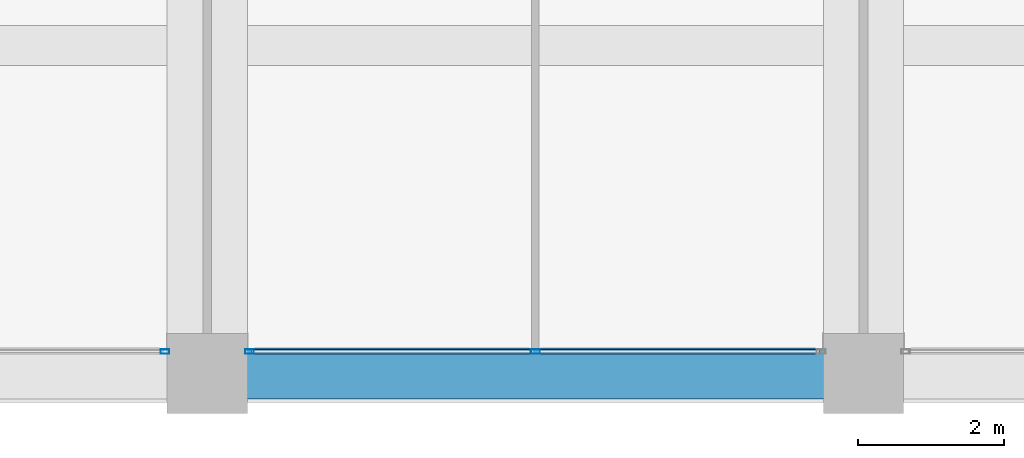
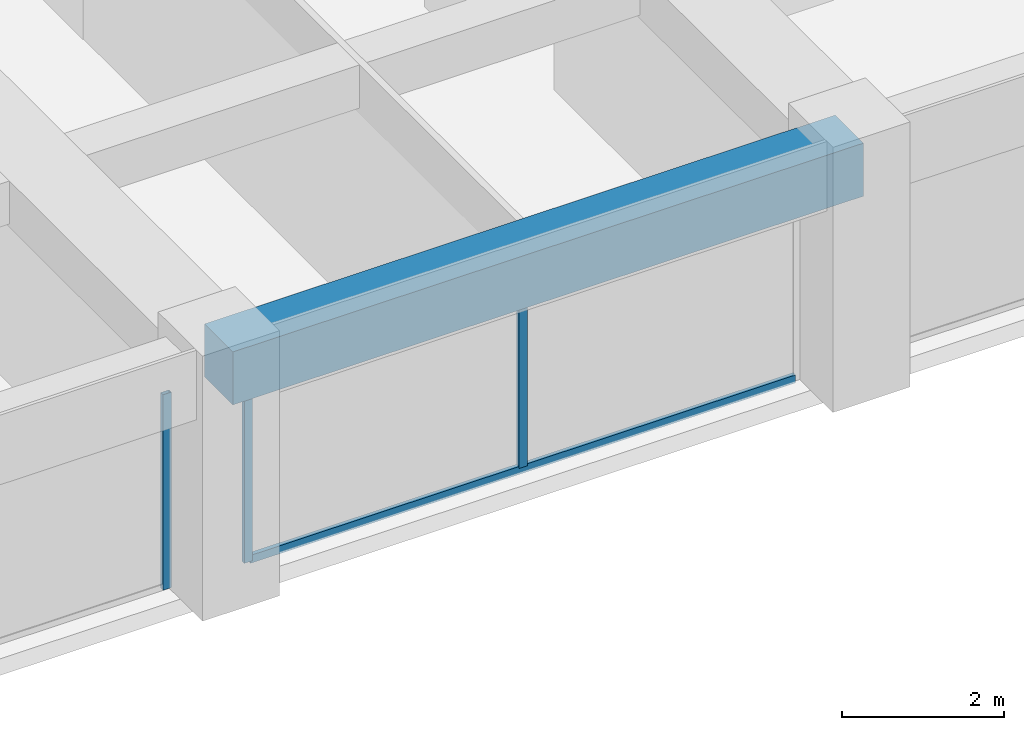
# One storey, part 9 of 44: 4 members, 1 beam, 2 elements without a shape of their own.
"""IFC4 building model written with IfcOpenShell, lengths in metres."""

from ifc_helpers import new_model, si_unit, direction, frame, origin, origin_2d, place, context, subcontext, project, spatial, rectangle, hollow_rectangle, extrude, material, material_profile, profile_set, type_object, element, aggregate, save


model = new_model("IFC4")

# Units and contexts
model_context = context("Model", 3, precision=1e-05, world=origin(), true_north=direction((0.0, 1.0)))
body_context = subcontext(model_context, "Body", "Model", "MODEL_VIEW")
ifc_project = project(units=[si_unit("LENGTHUNIT", "METRE"), si_unit("AREAUNIT", "SQUARE_METRE"), si_unit("VOLUMEUNIT", "CUBIC_METRE"), si_unit("PLANEANGLEUNIT", "RADIAN"), si_unit("MASSUNIT", "GRAM", prefix="KILO")], contexts=[model_context])

# Site, building, storey
site_placement = place(None, origin())
site = spatial("IfcSite", under=ifc_project, at=site_placement, CompositionType="ELEMENT")
building_placement = place(site_placement, origin())
building = spatial("IfcBuilding", under=site, at=building_placement, Name="Zorevar Civic Tower", CompositionType="ELEMENT")
storey_placement = place(building_placement, frame((0.0, 0.0, 271.39990234375)))
storey = spatial("IfcBuildingStorey", under=building, at=storey_placement, Name="L66", CompositionType="ELEMENT", Elevation=271.39990234375)

# Curtain wall, member
ifc_material_1 = material(Name="Dark grey solar-control glass in black aluminium frame", Category="aluminium")
curtain_wall_type = type_object("IfcCurtainWallType", Name="Curtain wall CW5 top zone", PredefinedType="NOTDEFINED", material=ifc_material_1)
curtain_wall_1_placement = place(storey_placement, origin())
curtain_wall_1 = element("IfcCurtainWall", 1, at=curtain_wall_1_placement, inside=storey, type_object=curtain_wall_type, Name="CW5 L66", PredefinedType="NOTDEFINED")
ifc_material_2 = material(Name="Aluminium, black anodised", Category="aluminium")
ifc_material_profile_1 = material_profile(ifc_material_2, hollow_rectangle(XDim=0.06005859375, YDim=0.1201171875, WallThickness=0.0029296875, at=origin_2d()), Name="AL 120x60x3")
ifc_profile_set_1 = profile_set([ifc_material_profile_1], Name="Aluminium, black anodised")
member_type_1 = type_object("IfcMemberType", Name="CW5 mullion AL 120x60x3", PredefinedType="MULLION", material=ifc_profile_set_1)
member_1_placement = place(storey_placement, frame((26.419921875, 0.300048828125, 0.0), z_axis=(0.0, 0.0, 1.0), x_axis=(0.0, 1.0, 0.0)))
member_1 = element("IfcMember", 2, at=member_1_placement, type_object=member_type_1, Name="CW5 mullion 3", PredefinedType="MULLION", context=body_context, shape_type="SweptSolid", body=[
    extrude(hollow_rectangle(XDim=0.06005859375, YDim=0.1201171875, WallThickness=0.0029296875, at=origin_2d()), origin(), (0.0, 0.0, 1.0), 2.9501953125),
])
aggregate(curtain_wall_1, [member_1])

# Curtain wall, members
curtain_wall_2_placement = place(storey_placement, origin())
curtain_wall_2 = element("IfcCurtainWall", 3, at=curtain_wall_2_placement, inside=storey, type_object=curtain_wall_type, Name="CW5 L66", PredefinedType="NOTDEFINED")
member_2_placement = place(storey_placement, frame((27.580078125, 0.300048828125, 0.0), z_axis=(0.0, 0.0, 1.0), x_axis=(0.0, 1.0, 0.0)))
member_2 = element("IfcMember", 4, at=member_2_placement, type_object=member_type_1, Name="CW5 mullion 1", PredefinedType="MULLION", context=body_context, shape_type="SweptSolid", body=[
    extrude(hollow_rectangle(XDim=0.06005859375, YDim=0.1201171875, WallThickness=0.0029296875, at=origin_2d()), origin(), (0.0, 0.0, 1.0), 2.9501953125),
])
member_3_placement = place(storey_placement, frame((31.5, 0.300048828125, 0.06005859375), z_axis=(0.0, 0.0, 1.0), x_axis=(0.0, 1.0, 0.0)))
member_3 = element("IfcMember", 5, at=member_3_placement, type_object=member_type_1, Name="CW5 mullion 2", PredefinedType="MULLION", context=body_context, shape_type="SweptSolid", body=[
    extrude(hollow_rectangle(XDim=0.06005859375, YDim=0.1201171875, WallThickness=0.0029296875, at=origin_2d()), origin(), (0.0, 0.0, 1.0), 2.89013671875),
])
ifc_material_3 = material(Name="Aluminium, black anodised", Category="aluminium")
ifc_material_profile_2 = material_profile(ifc_material_3, hollow_rectangle(XDim=0.06005859375, YDim=0.1201171875, WallThickness=0.0029296875, at=origin_2d()), Name="AL 120x60x3")
ifc_profile_set_2 = profile_set([ifc_material_profile_2], Name="Aluminium, black anodised")
member_type_2 = type_object("IfcMemberType", Name="CW5 transom AL 120x60x3", PredefinedType="USERDEFINED", material=ifc_profile_set_2)
member_4_placement = place(storey_placement, frame((27.610107421875, 0.300048828125, 0.030029296875), z_axis=(1.0, 0.0, 0.0), x_axis=(0.0, 1.0, 0.0)))
member_4 = element("IfcMember", 6, at=member_4_placement, type_object=member_type_2, Name="CW5 sill transom", ObjectType="TRANSOM", PredefinedType="USERDEFINED", context=body_context, shape_type="SweptSolid", body=[
    extrude(hollow_rectangle(XDim=0.06005859375, YDim=0.1201171875, WallThickness=0.0029296875, at=origin_2d()), origin(), (0.0, 0.0, 1.0), 7.77978515625),
])
aggregate(curtain_wall_2, [member_2, member_3, member_4])

# Beam
ifc_material_4 = material(Name="Concrete C50/60", Category="concrete")
ifc_material_profile_3 = material_profile(ifc_material_4, rectangle(XDim=0.699951171875, YDim=0.800048828125, at=origin_2d()), Name="RC 700x800")
ifc_profile_set_3 = profile_set([ifc_material_profile_3], Name="Concrete C50/60")
beam_type = type_object("IfcBeamType", Name="Edge beam RC 700x800", PredefinedType="SPANDREL", material=ifc_profile_set_3)
beam_placement = place(storey_placement, frame((27.0, 0.0, 3.35009765625), z_axis=(1.0, 0.0, 0.0), x_axis=(0.0, 1.0, 0.0)))
element("IfcBeam", 7, at=beam_placement, inside=storey, type_object=beam_type, Name="Edge beam L67", PredefinedType="SPANDREL", context=body_context, shape_type="SweptSolid", body=[
    extrude(rectangle(XDim=0.699951171875, YDim=0.800048828125, at=origin_2d()), origin(), (0.0, 0.0, 1.0), 9.0),
])

save(model, "model.ifc")
